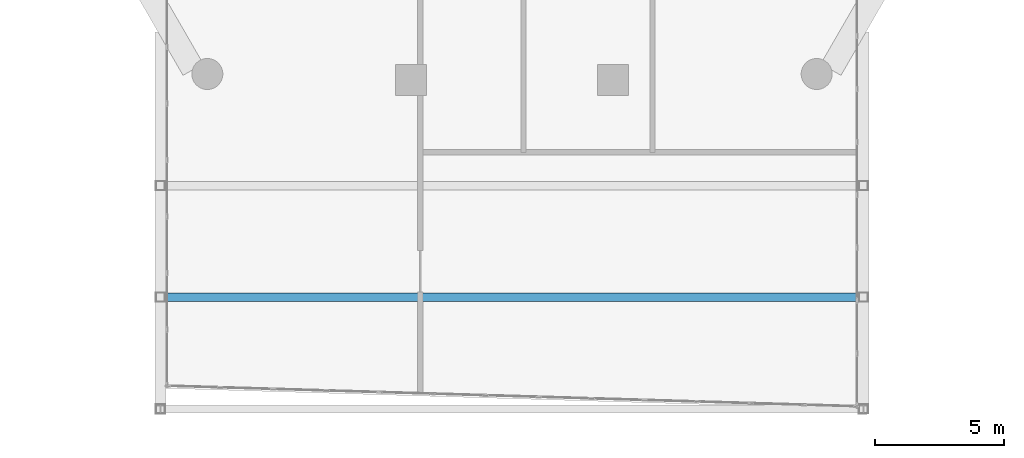
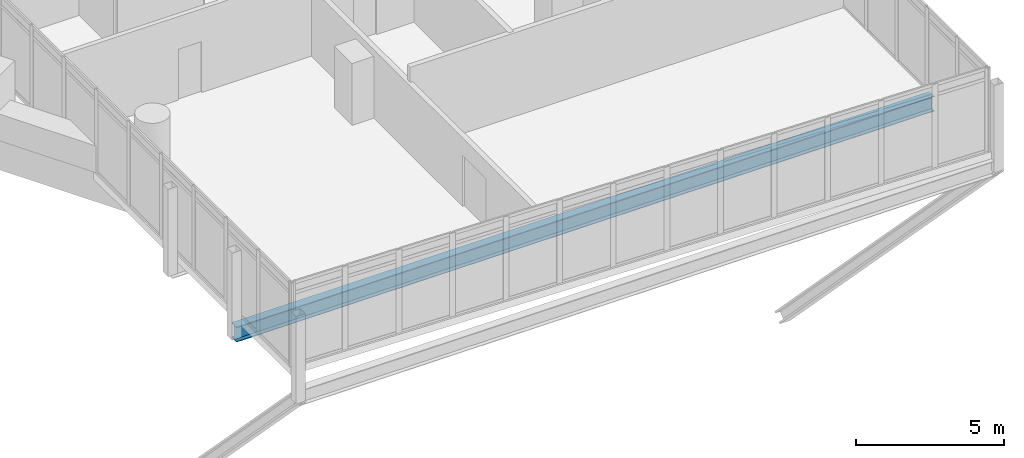
# One storey, part 8 of 37: 1 beam.
"""IFC4 building model written with IfcOpenShell, lengths in metres."""

from ifc_helpers import new_model, si_unit, direction, frame, origin, origin_2d, place, context, subcontext, project, spatial, i_section, extrude, material, material_profile, profile_set, type_object, element, save


model = new_model("IFC4")

# Units and contexts
model_context = context("Model", 3, precision=1e-05, world=origin(), true_north=direction((0.0, 1.0)))
body_context = subcontext(model_context, "Body", "Model", "MODEL_VIEW")
ifc_project = project(units=[si_unit("LENGTHUNIT", "METRE"), si_unit("AREAUNIT", "SQUARE_METRE"), si_unit("VOLUMEUNIT", "CUBIC_METRE"), si_unit("PLANEANGLEUNIT", "RADIAN"), si_unit("MASSUNIT", "GRAM", prefix="KILO")], contexts=[model_context])

# Site, building, storey
site_placement = place(None, origin())
site = spatial("IfcSite", under=ifc_project, at=site_placement, CompositionType="ELEMENT")
building_placement = place(site_placement, origin())
building = spatial("IfcBuilding", under=site, at=building_placement, Name="Ostrander Bayou Hotel Tower", CompositionType="ELEMENT")
storey_placement = place(building_placement, frame((0.0, 0.0, 131.0)))
storey = spatial("IfcBuildingStorey", under=building, at=storey_placement, Name="L32", CompositionType="ELEMENT", Elevation=131.0)

# Beam
ifc_material = material(Name="Steel ASTM A992", Category="steel")
ifc_material_profile = material_profile(ifc_material, i_section(OverallWidth=0.32763671875, OverallDepth=0.621826171875, WebThickness=0.015380859375, FlangeThickness=0.0244140625, at=origin_2d()))
ifc_profile_set = profile_set([ifc_material_profile], Name="Steel ASTM A992")
beam_type = type_object("IfcBeamType", Name="TF1 bar floor beam W24x131", PredefinedType="BEAM", material=ifc_profile_set)
beam_placement = place(storey_placement, frame((-13.6201171875, -27.122314453125, -0.61083984375), z_axis=(1.0, 0.0, 0.0), x_axis=(0.0, 1.0, 0.0)))
element("IfcBeam", 1, at=beam_placement, inside=storey, type_object=beam_type, Name="TF1 SB3S L1-2", PredefinedType="BEAM", context=body_context, shape_type="SweptSolid", body=[
    extrude(i_section(OverallWidth=0.32763671875, OverallDepth=0.621826171875, WebThickness=0.015380859375, FlangeThickness=0.0244140625, at=origin_2d()), origin(), (0.0, 0.0, 1.0), 27.240234375),
])

save(model, "model.ifc")
